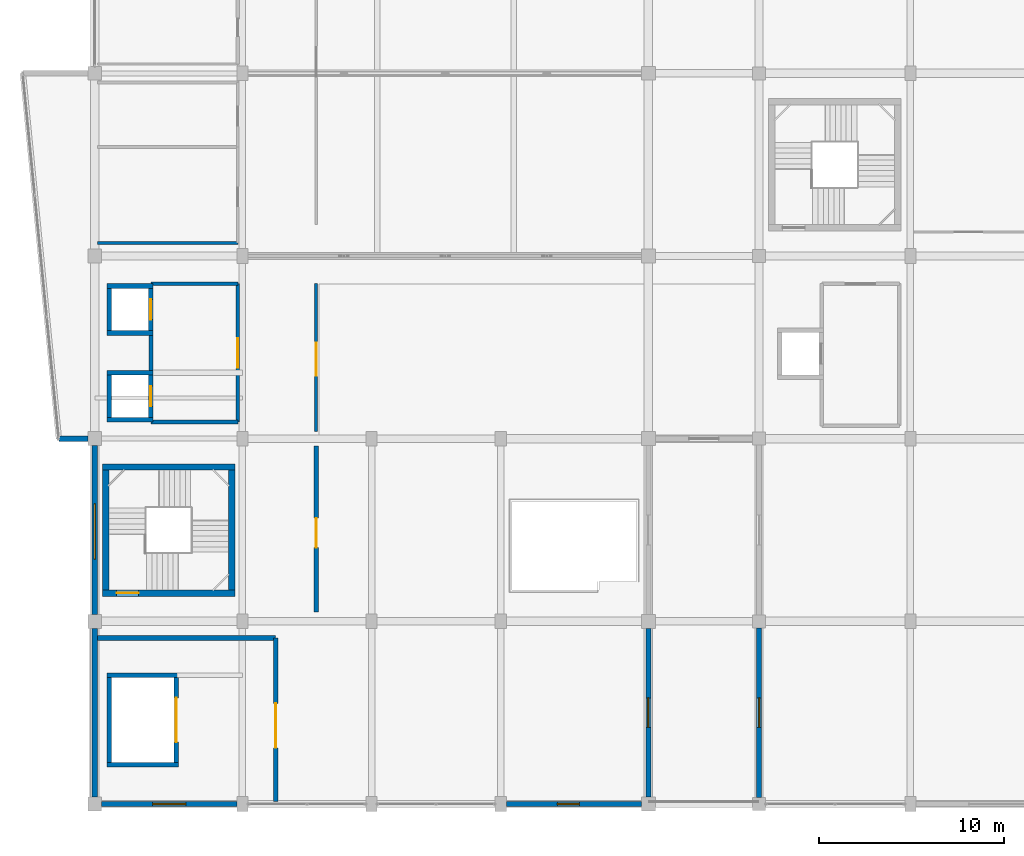
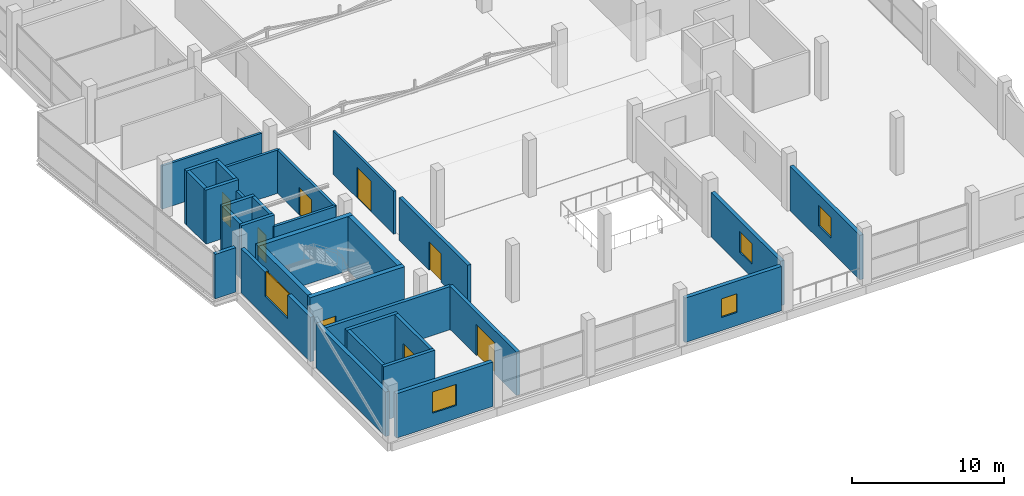
# One storey, part 36 of 49: 32 walls, 8 doors, 5 windows, 13 openings.
"""IFC4 building model written with IfcOpenShell, lengths in metres."""

from ifc_helpers import new_model, si_unit, direction, frame, frame_2d, origin, place, context, subcontext, project, spatial, rectangle, extrude, material, layer, layer_set, type_object, element, fill, save


model = new_model("IFC4")

# Units and contexts
model_context = context("Model", 3, precision=1e-05, world=origin(), true_north=direction((0.0, 1.0)))
body_context = subcontext(model_context, "Body", "Model", "MODEL_VIEW")
ifc_project = project(units=[si_unit("LENGTHUNIT", "METRE"), si_unit("AREAUNIT", "SQUARE_METRE"), si_unit("VOLUMEUNIT", "CUBIC_METRE"), si_unit("PLANEANGLEUNIT", "RADIAN"), si_unit("MASSUNIT", "GRAM", prefix="KILO")], contexts=[model_context])

# Site, building, storey
site_placement = place(None, origin())
site = spatial("IfcSite", under=ifc_project, at=site_placement, CompositionType="ELEMENT")
building_placement = place(site_placement, origin())
building = spatial("IfcBuilding", under=site, at=building_placement, Name="Sillaruma Civic Art Gallery", CompositionType="ELEMENT")
storey_placement = place(building_placement, frame((0.0, 0.0, 33.14990234375)))
storey = spatial("IfcBuildingStorey", under=building, at=storey_placement, Name="L06", CompositionType="ELEMENT", Elevation=33.14990234375)

# Wall, opening, door
ifc_material_1 = material(Name="Concrete H40 (40 MPa)", Category="concrete")
ifc_layer_1 = layer(ifc_material_1, 0.35009765625, Name="Concrete H40 (40 MPa)")
ifc_layer_set_1 = layer_set([ifc_layer_1], Name="Concrete H40 (40 MPa)")
wall_type_1 = type_object("IfcWallType", Name="WAL-CORE-350", PredefinedType="SHEAR", material=ifc_layer_set_1)
wall_1_placement = place(storey_placement, frame((62.409912109375, 31.235107421875, 0.0), z_axis=(0.0, 0.0, 1.0), x_axis=(1.0, 0.0, 0.0)))
wall_1 = element("IfcWall", 1, at=wall_1_placement, inside=storey, type_object=wall_type_1, Name="Stair Core Shear Wall W-CORE-350 (ST-03:L06:S)", PredefinedType="SHEAR", context=body_context, shape_type="SweptSolid", body=[
    extrude(rectangle(XDim=7.18017578125, YDim=0.35009765625, at=frame_2d((3.590087890625, 0.0))), origin(), (0.0, 0.0, 1.0), 4.35009765625),
])
opening_1_placement = place(wall_1_placement, frame((0.77001953125, 0.0, 0.0)))
opening_1 = element("IfcOpeningElement", 2, at=opening_1_placement, cuts=wall_1, Name="Opening D-STAIR", PredefinedType="OPENING", context=body_context, shape_type="SweptSolid", body=[
    extrude(rectangle(XDim=1.199951171875, YDim=2.199951171875, at=frame_2d((0.60009765625, 1.10009765625))), frame((0.0, 0.18505859375, 0.0), z_axis=(0.0, -1.0, 0.0), x_axis=(1.0, 0.0, 0.0)), (0.0, 0.0, 1.0), 0.3701171875),
])
ifc_material_2 = material(Name="Galvanised Steel ASTM A653 Gr.50", Category="steel")
door_type_1 = type_object("IfcDoorType", Name="DOR-STAIR-120", OperationType="NOTDEFINED", PredefinedType="DOOR", material=ifc_material_2)
door_1_placement = place(opening_1_placement, origin())
door_1 = element("IfcDoor", 3, at=door_1_placement, inside=storey, type_object=door_type_1, Name="Protected Stair Fire Door (ST-03:L06)", OperationType="SINGLE_SWING_RIGHT", OverallHeight=2.199951171875, OverallWidth=1.199951171875, PredefinedType="DOOR", context=body_context, shape_type="SweptSolid", body=[
    extrude(rectangle(XDim=1.199951171875, YDim=2.199951171875, at=frame_2d((0.60009765625, 1.10009765625))), frame((0.0, 0.02490234375, 0.0), z_axis=(0.0, -1.0, 0.0), x_axis=(1.0, 0.0, 0.0)), (0.0, 0.0, 1.0), 0.050048828125),
])
fill(opening_1, door_1)

# Walls
wall_2_placement = place(storey_placement, frame((62.409912109375, 38.06494140625, 0.0), z_axis=(0.0, 0.0, 1.0), x_axis=(1.0, 0.0, 0.0)))
element("IfcWall", 4, at=wall_2_placement, inside=storey, type_object=wall_type_1, Name="Stair Core Shear Wall W-CORE-350 (ST-03:L06:N)", PredefinedType="SHEAR", context=body_context, shape_type="SweptSolid", body=[
    extrude(rectangle(XDim=7.18017578125, YDim=0.35009765625, at=frame_2d((3.590087890625, 0.0))), origin(), (0.0, 0.0, 1.0), 4.35009765625),
])
for number, where, z_axis, x_axis, name in (
    (5, (62.5849609375, 31.409912109375, 0.0), (0.0, 0.0, 1.0), (0.0, 1.0, 0.0), "Stair Core Shear Wall W-CORE-350 (ST-03:L06:W)"),
    (6, (69.4150390625, 31.409912109375, 0.0), (0.0, 0.0, 1.0), (0.0, 1.0, 0.0), "Stair Core Shear Wall W-CORE-350 (ST-03:L06:E)"),
):
    element("IfcWall", number, at=place(storey_placement, frame(where, z_axis=z_axis, x_axis=x_axis)), inside=storey, type_object=wall_type_1, Name=name, PredefinedType="SHEAR", context=body_context, shape_type="SweptSolid", body=[
        extrude(rectangle(XDim=6.47998046875, YDim=0.35009765625, at=frame_2d((3.239990234375, 0.0))), origin(), (0.0, 0.0, 1.0), 4.35009765625),
    ])

# Wall, opening, window
ifc_material_3 = material(Name="Concrete H35 (35 MPa)", Category="concrete")
ifc_layer_2 = layer(ifc_material_3, 0.159912109375, Name="Concrete backup", Category="concrete")
ifc_material_4 = material(Name="Mineral Wool Thermal Insulation", Category="insulation")
ifc_layer_3 = layer(ifc_material_4, 0.090087890625, Name="Thermal insulation", Category="insulation")
ifc_material_5 = material(Name="Anodised Zinc-Aluminium Alloy", Category="aluminium")
ifc_layer_4 = layer(ifc_material_5, 0.030029296875, Name="Rainscreen finish", Category="aluminium")
ifc_layer_set_2 = layer_set([ifc_layer_2, ifc_layer_3, ifc_layer_4], Name="W-EXT-280")
wall_type_2 = type_object("IfcWallType", Name="WAL-EXT-280", PredefinedType="SOLIDWALL", material=ifc_layer_set_2)
wall_3_placement = place(storey_placement, frame((62.0, 30.074951171875, 0.0), z_axis=(0.0, 0.0, 1.0), x_axis=(0.0, 1.0, 0.0)))
wall_3 = element("IfcWall", 7, at=wall_3_placement, inside=storey, type_object=wall_type_2, Name="Exterior Wall W-EXT-280 (EW-L06-W-2)", PredefinedType="SOLIDWALL", context=body_context, shape_type="SweptSolid", body=[
    extrude(rectangle(XDim=9.150146484375, YDim=0.280029296875, at=frame_2d((4.5751953125, 0.0))), origin(), (0.0, 0.0, 1.0), 3.570068359375),
])
opening_2_placement = place(wall_3_placement, frame((3.0, 0.0, 1.64990234375)))
opening_2 = element("IfcOpeningElement", 8, at=opening_2_placement, cuts=wall_3, Name="Opening WN-10", PredefinedType="OPENING", context=body_context, shape_type="SweptSolid", body=[
    extrude(rectangle(XDim=3.0, YDim=1.949951171875, at=frame_2d((1.5, 0.97509765625))), frame((0.0, 0.14990234375, 0.0), z_axis=(0.0, -1.0, 0.0), x_axis=(1.0, 0.0, 0.0)), (0.0, 0.0, 1.0), 0.300048828125),
])
ifc_material_6 = material(Name="Thermally Broken Extruded Aluminium 6063-T6", Category="aluminium")
window_type_1 = type_object("IfcWindowType", Name="WIN-W10", PartitioningType="SINGLE_PANEL", PredefinedType="WINDOW", material=ifc_material_6)
window_1_placement = place(opening_2_placement, origin())
window_1 = element("IfcWindow", 9, at=window_1_placement, inside=storey, type_object=window_type_1, Name="Window WN-10 (EW-L06-W-2-1)", OverallHeight=1.949951171875, OverallWidth=3.0, PartitioningType="SINGLE_PANEL", PredefinedType="WINDOW", context=body_context, shape_type="SweptSolid", body=[
    extrude(rectangle(XDim=3.0, YDim=1.949951171875, at=frame_2d((1.5, 0.97509765625))), frame((0.0, 0.030029296875, 0.0), z_axis=(0.0, -1.0, 0.0), x_axis=(1.0, 0.0, 0.0)), (0.0, 0.0, 1.0), 0.06005859375),
])
fill(opening_2, window_1)

# Wall
wall_4_placement = place(storey_placement, frame((60.050048828125, 39.60009765625, 0.0), z_axis=(0.0, 0.0, 1.0), x_axis=(1.0, 0.0, 0.0)))
element("IfcWall", 10, at=wall_4_placement, inside=storey, type_object=wall_type_2, Name="Exterior Wall W-EXT-280 (EW-PRW-L06-W-S3)", PredefinedType="SOLIDWALL", context=body_context, shape_type="SweptSolid", body=[
    extrude(rectangle(XDim=1.574951171875, YDim=0.280029296875, at=frame_2d((0.78759765625, 0.0))), origin(), (0.0, 0.0, 1.0), 3.570068359375),
])

# Wall, opening, window
wall_5_placement = place(storey_placement, frame((92.0, 20.175048828125, 0.0), z_axis=(0.0, 0.0, 1.0), x_axis=(0.0, 1.0, 0.0)))
wall_5 = element("IfcWall", 11, at=wall_5_placement, inside=storey, type_object=wall_type_2, Name="Exterior Wall W-EXT-280 (EW-L06-CYN-W1)", PredefinedType="SOLIDWALL", context=body_context, shape_type="SweptSolid", body=[
    extrude(rectangle(XDim=9.14990234375, YDim=0.280029296875, at=frame_2d((4.574951171875, 0.0))), origin(), (0.0, 0.0, 1.0), 3.570068359375),
])
opening_3_placement = place(wall_5_placement, frame((3.77490234375, 0.0, 1.050048828125)))
opening_3 = element("IfcOpeningElement", 12, at=opening_3_placement, cuts=wall_5, Name="Opening WN-05", PredefinedType="OPENING", context=body_context, shape_type="SweptSolid", body=[
    extrude(rectangle(XDim=1.60009765625, YDim=1.64990234375, at=frame_2d((0.800048828125, 0.824951171875))), frame((0.0, 0.14990234375, 0.0), z_axis=(0.0, -1.0, 0.0), x_axis=(1.0, 0.0, 0.0)), (0.0, 0.0, 1.0), 0.300048828125),
])
window_type_2 = type_object("IfcWindowType", Name="WIN-W05", PartitioningType="SINGLE_PANEL", PredefinedType="WINDOW", material=ifc_material_6)
window_2_placement = place(opening_3_placement, origin())
window_2 = element("IfcWindow", 13, at=window_2_placement, inside=storey, type_object=window_type_2, Name="Window WN-05 (EW-L06-CYN-W1-1)", OverallHeight=1.64990234375, OverallWidth=1.60009765625, PartitioningType="SINGLE_PANEL", PredefinedType="WINDOW", context=body_context, shape_type="SweptSolid", body=[
    extrude(rectangle(XDim=1.60009765625, YDim=1.64990234375, at=frame_2d((0.800048828125, 0.824951171875))), frame((0.0, 0.030029296875, 0.0), z_axis=(0.0, -1.0, 0.0), x_axis=(1.0, 0.0, 0.0)), (0.0, 0.0, 1.0), 0.06005859375),
])
fill(opening_3, window_2)

wall_6_placement = place(storey_placement, frame((98.0, 20.14990234375, 0.0), z_axis=(0.0, 0.0, 1.0), x_axis=(0.0, 1.0, 0.0)))
wall_6 = element("IfcWall", 14, at=wall_6_placement, inside=storey, type_object=wall_type_2, Name="Exterior Wall W-EXT-280 (EW-L06-CYN-E1)", PredefinedType="SOLIDWALL", context=body_context, shape_type="SweptSolid", body=[
    extrude(rectangle(XDim=9.2001953125, YDim=0.280029296875, at=frame_2d((4.60009765625, 0.0))), origin(), (0.0, 0.0, 1.0), 3.570068359375),
])
opening_4_placement = place(wall_6_placement, frame((3.800048828125, 0.0, 1.050048828125)))
opening_4 = element("IfcOpeningElement", 15, at=opening_4_placement, cuts=wall_6, Name="Opening WN-05", PredefinedType="OPENING", context=body_context, shape_type="SweptSolid", body=[
    extrude(rectangle(XDim=1.60009765625, YDim=1.64990234375, at=frame_2d((0.800048828125, 0.824951171875))), frame((0.0, 0.14990234375, 0.0), z_axis=(0.0, -1.0, 0.0), x_axis=(1.0, 0.0, 0.0)), (0.0, 0.0, 1.0), 0.300048828125),
])
window_3_placement = place(opening_4_placement, origin())
window_3 = element("IfcWindow", 16, at=window_3_placement, inside=storey, type_object=window_type_2, Name="Window WN-05 (EW-L06-CYN-E1-1)", OverallHeight=1.64990234375, OverallWidth=1.60009765625, PartitioningType="SINGLE_PANEL", PredefinedType="WINDOW", context=body_context, shape_type="SweptSolid", body=[
    extrude(rectangle(XDim=1.60009765625, YDim=1.64990234375, at=frame_2d((0.800048828125, 0.824951171875))), frame((0.0, 0.030029296875, 0.0), z_axis=(0.0, -1.0, 0.0), x_axis=(1.0, 0.0, 0.0)), (0.0, 0.0, 1.0), 0.06005859375),
])
fill(opening_4, window_3)

ifc_layer_5 = layer(ifc_material_3, 0.169921875, Name="Concrete backup", Category="concrete")
ifc_layer_6 = layer(ifc_material_4, 0.090087890625, Name="Thermal insulation", Category="insulation")
ifc_layer_7 = layer(ifc_material_5, 0.030029296875, Name="Rainscreen finish", Category="aluminium")
ifc_layer_set_3 = layer_set([ifc_layer_5, ifc_layer_6, ifc_layer_7], Name="W-EXT-290")
wall_type_3 = type_object("IfcWallType", Name="WAL-EXT-290", PredefinedType="SOLIDWALL", material=ifc_layer_set_3)
wall_7_placement = place(storey_placement, frame((62.375, 19.800048828125, 0.0), z_axis=(0.0, 0.0, 1.0), x_axis=(1.0, 0.0, 0.0)))
wall_7 = element("IfcWall", 17, at=wall_7_placement, inside=storey, type_object=wall_type_3, Name="Exterior Wall W-EXT-290 (EW-L06-S-1)", PredefinedType="SOLIDWALL", context=body_context, shape_type="SweptSolid", body=[
    extrude(rectangle(XDim=7.324951171875, YDim=0.2900390625, at=frame_2d((3.66259765625, 0.0))), origin(), (0.0, 0.0, 1.0), 3.570068359375),
])
opening_5_placement = place(wall_7_placement, frame((2.762939453125, 0.0, 1.050048828125)))
opening_5 = element("IfcOpeningElement", 18, at=opening_5_placement, cuts=wall_7, Name="Opening WN-04", PredefinedType="OPENING", context=body_context, shape_type="SweptSolid", body=[
    extrude(rectangle(XDim=1.800048828125, YDim=1.699951171875, at=frame_2d((0.89990234375, 0.85009765625))), frame((0.0, 0.155029296875, 0.0), z_axis=(0.0, -1.0, 0.0), x_axis=(1.0, 0.0, 0.0)), (0.0, 0.0, 1.0), 0.31005859375),
])
window_type_3 = type_object("IfcWindowType", Name="WIN-W04", PartitioningType="SINGLE_PANEL", PredefinedType="WINDOW", material=ifc_material_6)
window_4_placement = place(opening_5_placement, origin())
window_4 = element("IfcWindow", 19, at=window_4_placement, inside=storey, type_object=window_type_3, Name="Window WN-04 (EW-L06-S-1-1)", OverallHeight=1.699951171875, OverallWidth=1.800048828125, PartitioningType="SINGLE_PANEL", PredefinedType="WINDOW", context=body_context, shape_type="SweptSolid", body=[
    extrude(rectangle(XDim=1.800048828125, YDim=1.699951171875, at=frame_2d((0.89990234375, 0.85009765625))), frame((0.0, 0.030029296875, 0.0), z_axis=(0.0, -1.0, 0.0), x_axis=(1.0, 0.0, 0.0)), (0.0, 0.0, 1.0), 0.06005859375),
])
fill(opening_5, window_4)

wall_8_placement = place(storey_placement, frame((84.300048828125, 19.800048828125, 0.0), z_axis=(0.0, 0.0, 1.0), x_axis=(1.0, 0.0, 0.0)))
wall_8 = element("IfcWall", 20, at=wall_8_placement, inside=storey, type_object=wall_type_3, Name="Exterior Wall W-EXT-290 (EW-L06-S-4)", PredefinedType="SOLIDWALL", context=body_context, shape_type="SweptSolid", body=[
    extrude(rectangle(XDim=7.324951171875, YDim=0.2900390625, at=frame_2d((3.66259765625, 0.0))), origin(), (0.0, 0.0, 1.0), 3.570068359375),
])
opening_6_placement = place(wall_8_placement, frame((2.762939453125, 0.0, 1.050048828125)))
opening_6 = element("IfcOpeningElement", 21, at=opening_6_placement, cuts=wall_8, Name="Opening WN-07", PredefinedType="OPENING", context=body_context, shape_type="SweptSolid", body=[
    extrude(rectangle(XDim=1.199951171875, YDim=1.5, at=frame_2d((0.60009765625, 0.75))), frame((0.0, 0.155029296875, 0.0), z_axis=(0.0, -1.0, 0.0), x_axis=(1.0, 0.0, 0.0)), (0.0, 0.0, 1.0), 0.31005859375),
])
window_type_4 = type_object("IfcWindowType", Name="WIN-W07", PartitioningType="SINGLE_PANEL", PredefinedType="WINDOW", material=ifc_material_6)
window_5_placement = place(opening_6_placement, origin())
window_5 = element("IfcWindow", 22, at=window_5_placement, inside=storey, type_object=window_type_4, Name="Window WN-07 (EW-L06-S-4-1)", OverallHeight=1.5, OverallWidth=1.199951171875, PartitioningType="SINGLE_PANEL", PredefinedType="WINDOW", context=body_context, shape_type="SweptSolid", body=[
    extrude(rectangle(XDim=1.199951171875, YDim=1.5, at=frame_2d((0.60009765625, 0.75))), frame((0.0, 0.030029296875, 0.0), z_axis=(0.0, -1.0, 0.0), x_axis=(1.0, 0.0, 0.0)), (0.0, 0.0, 1.0), 0.06005859375),
])
fill(opening_6, window_5)

# Walls
ifc_material_7 = material(Name="Precast Concrete H35 (35 MPa)", Category="concrete")
ifc_layer_8 = layer(ifc_material_7, 0.179931640625, Name="Precast backup", Category="concrete")
ifc_layer_9 = layer(ifc_material_4, 0.090087890625, Name="Thermal insulation", Category="insulation")
ifc_material_8 = material(Name="Comanche Granitic Ashlar Stone", Category="masonry")
ifc_layer_10 = layer(ifc_material_8, 0.030029296875, Name="Rainscreen cladding", Category="masonry")
ifc_layer_set_4 = layer_set([ifc_layer_8, ifc_layer_9, ifc_layer_10], Name="W-EXT-300")
wall_type_4 = type_object("IfcWallType", Name="WAL-EXT-300", PredefinedType="SOLIDWALL", material=ifc_layer_set_4)
wall_9_placement = place(storey_placement, frame((62.0, 20.175048828125, 0.0), z_axis=(0.0, 0.0, 1.0), x_axis=(0.0, 1.0, 0.0)))
element("IfcWall", 23, at=wall_9_placement, inside=storey, type_object=wall_type_4, Name="Exterior Wall W-EXT-300 (EW-L06-W-1)", PredefinedType="SOLIDWALL", context=body_context, shape_type="SweptSolid", body=[
    extrude(rectangle(XDim=9.14990234375, YDim=0.300048828125, at=frame_2d((4.574951171875, 0.0))), origin(), (0.0, 0.0, 1.0), 3.570068359375),
])
ifc_material_9 = material(Name="Concrete Masonry Unit Grade M15", Category="masonry")
ifc_layer_11 = layer(ifc_material_9, 0.199951171875, Name="Concrete Masonry Unit Grade M15")
ifc_layer_set_5 = layer_set([ifc_layer_11], Name="Concrete Masonry Unit Grade M15")
wall_type_5 = type_object("IfcWallType", Name="WAL-LOBBY-200", PredefinedType="SOLIDWALL", material=ifc_layer_set_5)
for number, where, z_axis, x_axis, name in (
    (24, (65.050048828125, 40.5, 0.0), (0.0, 0.0, 1.0), (1.0, 0.0, 0.0), "Interior Wall W-LOBBY-200 (L06-LLW)"),
    (25, (65.050048828125, 48.0, 0.0), (0.0, 0.0, 1.0), (1.0, 0.0, 0.0), "Interior Wall W-LOBBY-200 (L06-LLW)"),
):
    element("IfcWall", number, at=place(storey_placement, frame(where, z_axis=z_axis, x_axis=x_axis)), inside=storey, type_object=wall_type_5, Name=name, PredefinedType="SOLIDWALL", context=body_context, shape_type="SweptSolid", body=[
        extrude(rectangle(XDim=4.699951171875, YDim=0.199951171875, at=frame_2d((2.35009765625, 0.0))), origin(), (0.0, 0.0, 1.0), 3.47021484375),
    ])
wall_10_placement = place(storey_placement, frame((65.050048828125, 43.300048828125, 0.0), z_axis=(0.0, 0.0, 1.0), x_axis=(0.0, 1.0, 0.0)))
element("IfcWall", 26, at=wall_10_placement, inside=storey, type_object=wall_type_5, Name="Interior Wall W-LOBBY-200 (L06-LLW)", PredefinedType="SOLIDWALL", context=body_context, shape_type="SweptSolid", body=[
    extrude(rectangle(XDim=1.89990234375, YDim=0.199951171875, at=frame_2d((0.949951171875, 0.0))), origin(), (0.0, 0.0, 1.0), 3.47021484375),
])

# Wall, opening, door
wall_11_placement = place(storey_placement, frame((69.75, 40.5, 0.0), z_axis=(0.0, 0.0, 1.0), x_axis=(0.0, 1.0, 0.0)))
wall_11 = element("IfcWall", 27, at=wall_11_placement, inside=storey, type_object=wall_type_5, Name="Interior Wall W-LOBBY-200 (L06-LLW)", PredefinedType="SOLIDWALL", context=body_context, shape_type="SweptSolid", body=[
    extrude(rectangle(XDim=7.5, YDim=0.199951171875, at=frame_2d((3.75, 0.0))), origin(), (0.0, 0.0, 1.0), 3.47021484375),
])
opening_7_placement = place(wall_11_placement, frame((2.949951171875, 0.0, 0.0)))
opening_7 = element("IfcOpeningElement", 28, at=opening_7_placement, cuts=wall_11, Name="Opening D-LOBBY", PredefinedType="OPENING", context=body_context, shape_type="SweptSolid", body=[
    extrude(rectangle(XDim=1.60009765625, YDim=2.199951171875, at=frame_2d((0.800048828125, 1.10009765625))), frame((0.0, 0.10986328125, 0.0), z_axis=(0.0, -1.0, 0.0), x_axis=(1.0, 0.0, 0.0)), (0.0, 0.0, 1.0), 0.219970703125),
])
door_type_2 = type_object("IfcDoorType", Name="DOR-LOBBY-160", OperationType="NOTDEFINED", PredefinedType="DOOR", material=ifc_material_6)
door_2_placement = place(opening_7_placement, origin())
door_2 = element("IfcDoor", 29, at=door_2_placement, inside=storey, type_object=door_type_2, Name="West Lift Lobby Door (D-LOBBY)", OperationType="DOUBLE_DOOR_SINGLE_SWING", OverallHeight=2.199951171875, OverallWidth=1.60009765625, PredefinedType="DOOR", context=body_context, shape_type="SweptSolid", body=[
    extrude(rectangle(XDim=1.60009765625, YDim=2.199951171875, at=frame_2d((0.800048828125, 1.10009765625))), frame((0.0, 0.02490234375, 0.0), z_axis=(0.0, -1.0, 0.0), x_axis=(1.0, 0.0, 0.0)), (0.0, 0.0, 1.0), 0.050048828125),
])
fill(opening_7, door_2)

ifc_material_10 = material(Name="Gypsum Acoustic Board", Category="gypsum")
ifc_layer_12 = layer(ifc_material_10, 0.02490234375, Name="Finish board", Category="gypsum")
ifc_layer_13 = layer(ifc_material_4, 0.114990234375, Name="Acoustic core", Category="insulation")
ifc_material_11 = material(Name="Andean Oak Timber", Category="wood")
ifc_layer_14 = layer(ifc_material_11, 0.02490234375, Name="Gallery lining", Category="wood")
ifc_layer_set_6 = layer_set([ifc_layer_12, ifc_layer_13, ifc_layer_14], Name="W-PT-165")
wall_type_6 = type_object("IfcWallType", Name="WAL-PART-165", PredefinedType="PARTITIONING", material=ifc_layer_set_6)
wall_12_placement = place(storey_placement, frame((74.0, 40.0, 0.0), z_axis=(0.0, 0.0, 1.0), x_axis=(0.0, 1.0, 0.0)))
wall_12 = element("IfcWall", 30, at=wall_12_placement, inside=storey, type_object=wall_type_6, Name="Interior Wall W-PT-165 (L06-GAL61)", PredefinedType="PARTITIONING", context=body_context, shape_type="SweptSolid", body=[
    extrude(rectangle(XDim=8.0, YDim=0.1650390625, at=frame_2d((4.0, 0.0))), origin(), (0.0, 0.0, 1.0), 3.47021484375),
])
opening_8_placement = place(wall_12_placement, frame((3.0, 0.0, 0.0)))
opening_8 = element("IfcOpeningElement", 31, at=opening_8_placement, cuts=wall_12, Name="Opening D-GAL18", PredefinedType="OPENING", context=body_context, shape_type="SweptSolid", body=[
    extrude(rectangle(XDim=1.800048828125, YDim=2.449951171875, at=frame_2d((0.89990234375, 1.22509765625))), frame((0.0, 0.092529296875, 0.0), z_axis=(0.0, -1.0, 0.0), x_axis=(1.0, 0.0, 0.0)), (0.0, 0.0, 1.0), 0.18505859375),
])
door_type_3 = type_object("IfcDoorType", Name="DOR-GAL-180", OperationType="NOTDEFINED", PredefinedType="DOOR", material=ifc_material_11)
door_3_placement = place(opening_8_placement, origin())
door_3 = element("IfcDoor", 32, at=door_3_placement, inside=storey, type_object=door_type_3, Name="Andean Modern Paired Gallery Door (D-GAL18)", OperationType="DOUBLE_DOOR_SINGLE_SWING", OverallHeight=2.449951171875, OverallWidth=1.800048828125, PredefinedType="DOOR", context=body_context, shape_type="SweptSolid", body=[
    extrude(rectangle(XDim=1.800048828125, YDim=2.449951171875, at=frame_2d((0.89990234375, 1.22509765625))), frame((0.0, 0.02490234375, 0.0), z_axis=(0.0, -1.0, 0.0), x_axis=(1.0, 0.0, 0.0)), (0.0, 0.0, 1.0), 0.050048828125),
])
fill(opening_8, door_3)

# Walls
ifc_layer_15 = layer(ifc_material_10, 0.02490234375, Name="Finish board", Category="gypsum")
ifc_layer_16 = layer(ifc_material_4, 0.1298828125, Name="Acoustic core", Category="insulation")
ifc_layer_17 = layer(ifc_material_11, 0.02490234375, Name="Gallery lining", Category="wood")
ifc_layer_set_7 = layer_set([ifc_layer_15, ifc_layer_16, ifc_layer_17], Name="W-PT-180")
wall_type_7 = type_object("IfcWallType", Name="WAL-PART-180", PredefinedType="PARTITIONING", material=ifc_layer_set_7)
wall_13_placement = place(storey_placement, frame((62.14990234375, 50.199951171875, 0.0), z_axis=(0.0, 0.0, 1.0), x_axis=(1.0, 0.0, 0.0)))
element("IfcWall", 33, at=wall_13_placement, inside=storey, type_object=wall_type_7, Name="Interior Wall W-PT-180 (L06-WC1)", PredefinedType="PARTITIONING", context=body_context, shape_type="SweptSolid", body=[
    extrude(rectangle(XDim=7.60009765625, YDim=0.179931640625, at=frame_2d((3.800048828125, 0.0))), origin(), (0.0, 0.0, 1.0), 3.47021484375),
])
ifc_layer_18 = layer(ifc_material_1, 0.25, Name="Concrete H40 (40 MPa)")
ifc_layer_set_8 = layer_set([ifc_layer_18], Name="Concrete H40 (40 MPa)")
wall_type_8 = type_object("IfcWallType", Name="WAL-SHAFT-250", PredefinedType="SOLIDWALL", material=ifc_layer_set_8)
for number, where, z_axis, x_axis, name in (
    (34, (62.64990234375, 40.625, 0.0), (0.0, 0.0, 1.0), (1.0, 0.0, 0.0), "Lift Shaft Wall W-SHAFT-250 (PL-01:L06:S)"),
    (35, (62.64990234375, 43.175048828125, 0.0), (0.0, 0.0, 1.0), (1.0, 0.0, 0.0), "Lift Shaft Wall W-SHAFT-250 (PL-01:L06:N)"),
):
    element("IfcWall", number, at=place(storey_placement, frame(where, z_axis=z_axis, x_axis=x_axis)), inside=storey, type_object=wall_type_8, Name=name, PredefinedType="SOLIDWALL", context=body_context, shape_type="SweptSolid", body=[
        extrude(rectangle(XDim=2.5, YDim=0.25, at=frame_2d((1.25, 0.0))), origin(), (0.0, 0.0, 1.0), 4.330078125),
    ])
wall_14_placement = place(storey_placement, frame((62.77490234375, 40.75, 0.0), z_axis=(0.0, 0.0, 1.0), x_axis=(0.0, 1.0, 0.0)))
element("IfcWall", 36, at=wall_14_placement, inside=storey, type_object=wall_type_8, Name="Lift Shaft Wall W-SHAFT-250 (PL-01:L06:W)", PredefinedType="SOLIDWALL", context=body_context, shape_type="SweptSolid", body=[
    extrude(rectangle(XDim=2.300048828125, YDim=0.25, at=frame_2d((1.14990234375, 0.0))), origin(), (0.0, 0.0, 1.0), 4.330078125),
])

# Wall, opening, door
wall_15_placement = place(storey_placement, frame((65.02490234375, 40.75, 0.0), z_axis=(0.0, 0.0, 1.0), x_axis=(0.0, 1.0, 0.0)))
wall_15 = element("IfcWall", 37, at=wall_15_placement, inside=storey, type_object=wall_type_8, Name="Lift Shaft Wall W-SHAFT-250 (PL-01:L06:E)", PredefinedType="SOLIDWALL", context=body_context, shape_type="SweptSolid", body=[
    extrude(rectangle(XDim=2.300048828125, YDim=0.25, at=frame_2d((1.14990234375, 0.0))), origin(), (0.0, 0.0, 1.0), 4.330078125),
])
opening_9_placement = place(wall_15_placement, frame((0.60009765625, 0.0, 0.0)))
opening_9 = element("IfcOpeningElement", 38, at=opening_9_placement, cuts=wall_15, Name="Opening LD-01", PredefinedType="OPENING", context=body_context, shape_type="SweptSolid", body=[
    extrude(rectangle(XDim=1.10009765625, YDim=2.199951171875, at=frame_2d((0.550048828125, 1.10009765625))), frame((0.0, 0.135009765625, 0.0), z_axis=(0.0, -1.0, 0.0), x_axis=(1.0, 0.0, 0.0)), (0.0, 0.0, 1.0), 0.27001953125),
])
door_type_4 = type_object("IfcDoorType", Name="DOR-LD-01", OperationType="NOTDEFINED", PredefinedType="DOOR", material=ifc_material_2)
door_4_placement = place(opening_9_placement, origin())
door_4 = element("IfcDoor", 39, at=door_4_placement, inside=storey, type_object=door_type_4, Name="Lift Sliding Landing Door LD-01 (PL-01:L06)", OperationType="DOUBLE_DOOR_SLIDING", OverallHeight=2.199951171875, OverallWidth=1.10009765625, PredefinedType="DOOR", context=body_context, shape_type="SweptSolid", body=[
    extrude(rectangle(XDim=1.10009765625, YDim=2.199951171875, at=frame_2d((0.550048828125, 1.10009765625))), frame((0.0, 0.02490234375, 0.0), z_axis=(0.0, -1.0, 0.0), x_axis=(1.0, 0.0, 0.0)), (0.0, 0.0, 1.0), 0.050048828125),
])
fill(opening_9, door_4)

# Walls
for number, where, z_axis, x_axis, name in (
    (40, (62.64990234375, 45.324951171875, 0.0), (0.0, 0.0, 1.0), (1.0, 0.0, 0.0), "Lift Shaft Wall W-SHAFT-250 (PL-02:L06:S)"),
    (41, (62.64990234375, 47.875, 0.0), (0.0, 0.0, 1.0), (1.0, 0.0, 0.0), "Lift Shaft Wall W-SHAFT-250 (PL-02:L06:N)"),
):
    element("IfcWall", number, at=place(storey_placement, frame(where, z_axis=z_axis, x_axis=x_axis)), inside=storey, type_object=wall_type_8, Name=name, PredefinedType="SOLIDWALL", context=body_context, shape_type="SweptSolid", body=[
        extrude(rectangle(XDim=2.5, YDim=0.25, at=frame_2d((1.25, 0.0))), origin(), (0.0, 0.0, 1.0), 4.330078125),
    ])
wall_16_placement = place(storey_placement, frame((62.77490234375, 45.449951171875, 0.0), z_axis=(0.0, 0.0, 1.0), x_axis=(0.0, 1.0, 0.0)))
element("IfcWall", 42, at=wall_16_placement, inside=storey, type_object=wall_type_8, Name="Lift Shaft Wall W-SHAFT-250 (PL-02:L06:W)", PredefinedType="SOLIDWALL", context=body_context, shape_type="SweptSolid", body=[
    extrude(rectangle(XDim=2.300048828125, YDim=0.25, at=frame_2d((1.14990234375, 0.0))), origin(), (0.0, 0.0, 1.0), 4.330078125),
])

# Wall, opening, door
wall_17_placement = place(storey_placement, frame((65.02490234375, 45.449951171875, 0.0), z_axis=(0.0, 0.0, 1.0), x_axis=(0.0, 1.0, 0.0)))
wall_17 = element("IfcWall", 43, at=wall_17_placement, inside=storey, type_object=wall_type_8, Name="Lift Shaft Wall W-SHAFT-250 (PL-02:L06:E)", PredefinedType="SOLIDWALL", context=body_context, shape_type="SweptSolid", body=[
    extrude(rectangle(XDim=2.300048828125, YDim=0.25, at=frame_2d((1.14990234375, 0.0))), origin(), (0.0, 0.0, 1.0), 4.330078125),
])
opening_10_placement = place(wall_17_placement, frame((0.60009765625, 0.0, 0.0)))
opening_10 = element("IfcOpeningElement", 44, at=opening_10_placement, cuts=wall_17, Name="Opening LD-01", PredefinedType="OPENING", context=body_context, shape_type="SweptSolid", body=[
    extrude(rectangle(XDim=1.10009765625, YDim=2.199951171875, at=frame_2d((0.550048828125, 1.10009765625))), frame((0.0, 0.135009765625, 0.0), z_axis=(0.0, -1.0, 0.0), x_axis=(1.0, 0.0, 0.0)), (0.0, 0.0, 1.0), 0.27001953125),
])
door_5_placement = place(opening_10_placement, origin())
door_5 = element("IfcDoor", 45, at=door_5_placement, inside=storey, type_object=door_type_4, Name="Lift Sliding Landing Door LD-01 (PL-02:L06)", OperationType="DOUBLE_DOOR_SLIDING", OverallHeight=2.199951171875, OverallWidth=1.10009765625, PredefinedType="DOOR", context=body_context, shape_type="SweptSolid", body=[
    extrude(rectangle(XDim=1.10009765625, YDim=2.199951171875, at=frame_2d((0.550048828125, 1.10009765625))), frame((0.0, 0.02490234375, 0.0), z_axis=(0.0, -1.0, 0.0), x_axis=(1.0, 0.0, 0.0)), (0.0, 0.0, 1.0), 0.050048828125),
])
fill(opening_10, door_5)

# Walls
for number, where, z_axis, x_axis, name in (
    (46, (62.64990234375, 21.925048828125, 0.0), (0.0, 0.0, 1.0), (1.0, 0.0, 0.0), "Lift Shaft Wall W-SHAFT-250 (GL-01:L06:S)"),
    (47, (62.64990234375, 26.77490234375, 0.0), (0.0, 0.0, 1.0), (1.0, 0.0, 0.0), "Lift Shaft Wall W-SHAFT-250 (GL-01:L06:N)"),
):
    element("IfcWall", number, at=place(storey_placement, frame(where, z_axis=z_axis, x_axis=x_axis)), inside=storey, type_object=wall_type_8, Name=name, PredefinedType="SOLIDWALL", context=body_context, shape_type="SweptSolid", body=[
        extrude(rectangle(XDim=3.900146484375, YDim=0.25, at=frame_2d((1.9501953125, 0.0))), origin(), (0.0, 0.0, 1.0), 4.330078125),
    ])
wall_18_placement = place(storey_placement, frame((62.77490234375, 22.050048828125, 0.0), z_axis=(0.0, 0.0, 1.0), x_axis=(0.0, 1.0, 0.0)))
element("IfcWall", 48, at=wall_18_placement, inside=storey, type_object=wall_type_8, Name="Lift Shaft Wall W-SHAFT-250 (GL-01:L06:W)", PredefinedType="SOLIDWALL", context=body_context, shape_type="SweptSolid", body=[
    extrude(rectangle(XDim=4.599853515625, YDim=0.25, at=frame_2d((2.2998046875, 0.0))), origin(), (0.0, 0.0, 1.0), 4.330078125),
])

# Wall, opening, door
wall_19_placement = place(storey_placement, frame((66.425048828125, 22.050048828125, 0.0), z_axis=(0.0, 0.0, 1.0), x_axis=(0.0, 1.0, 0.0)))
wall_19 = element("IfcWall", 49, at=wall_19_placement, inside=storey, type_object=wall_type_8, Name="Lift Shaft Wall W-SHAFT-250 (GL-01:L06:E)", PredefinedType="SOLIDWALL", context=body_context, shape_type="SweptSolid", body=[
    extrude(rectangle(XDim=4.599853515625, YDim=0.25, at=frame_2d((2.2998046875, 0.0))), origin(), (0.0, 0.0, 1.0), 4.330078125),
])
opening_11_placement = place(wall_19_placement, frame((1.10009765625, 0.0, 0.0)))
opening_11 = element("IfcOpeningElement", 50, at=opening_11_placement, cuts=wall_19, Name="Opening LD-03", PredefinedType="OPENING", context=body_context, shape_type="SweptSolid", body=[
    extrude(rectangle(XDim=2.39990234375, YDim=2.64990234375, at=frame_2d((1.199951171875, 1.324951171875))), frame((0.0, 0.135009765625, 0.0), z_axis=(0.0, -1.0, 0.0), x_axis=(1.0, 0.0, 0.0)), (0.0, 0.0, 1.0), 0.27001953125),
])
door_type_5 = type_object("IfcDoorType", Name="DOR-LD-03", OperationType="NOTDEFINED", PredefinedType="DOOR", material=ifc_material_2)
door_6_placement = place(opening_11_placement, origin())
door_6 = element("IfcDoor", 51, at=door_6_placement, inside=storey, type_object=door_type_5, Name="Lift Sliding Landing Door LD-03 (GL-01:L06)", OperationType="DOUBLE_DOOR_SLIDING", OverallHeight=2.64990234375, OverallWidth=2.39990234375, PredefinedType="DOOR", context=body_context, shape_type="SweptSolid", body=[
    extrude(rectangle(XDim=2.39990234375, YDim=2.64990234375, at=frame_2d((1.199951171875, 1.324951171875))), frame((0.0, 0.02490234375, 0.0), z_axis=(0.0, -1.0, 0.0), x_axis=(1.0, 0.0, 0.0)), (0.0, 0.0, 1.0), 0.050048828125),
])
fill(opening_11, door_6)

# Wall
ifc_layer_19 = layer(ifc_material_9, 0.2548828125, Name="Concrete Masonry Unit Grade M15")
ifc_layer_set_9 = layer_set([ifc_layer_19], Name="Concrete Masonry Unit Grade M15")
wall_type_9 = type_object("IfcWallType", Name="WAL-STORE-250", PredefinedType="SOLIDWALL", material=ifc_layer_set_9)
wall_20_placement = place(storey_placement, frame((62.14990234375, 28.800048828125, 0.0), z_axis=(0.0, 0.0, 1.0), x_axis=(1.0, 0.0, 0.0)))
element("IfcWall", 52, at=wall_20_placement, inside=storey, type_object=wall_type_9, Name="Interior Wall W-STORE-250 (L06-AIR)", PredefinedType="SOLIDWALL", context=body_context, shape_type="SweptSolid", body=[
    extrude(rectangle(XDim=9.650146484375, YDim=0.2548828125, at=frame_2d((4.8251953125, 0.0))), origin(), (0.0, 0.0, 1.0), 3.47021484375),
])

# Wall, opening, door
wall_21_placement = place(storey_placement, frame((71.800048828125, 19.949951171875, 0.0), z_axis=(0.0, 0.0, 1.0), x_axis=(0.0, 1.0, 0.0)))
wall_21 = element("IfcWall", 53, at=wall_21_placement, inside=storey, type_object=wall_type_9, Name="Interior Wall W-STORE-250 (L06-AIR)", PredefinedType="SOLIDWALL", context=body_context, shape_type="SweptSolid", body=[
    extrude(rectangle(XDim=8.85009765625, YDim=0.2548828125, at=frame_2d((4.425048828125, 0.0))), origin(), (0.0, 0.0, 1.0), 3.47021484375),
])
opening_12_placement = place(wall_21_placement, frame((2.89990234375, 0.0, 0.0)))
opening_12 = element("IfcOpeningElement", 54, at=opening_12_placement, cuts=wall_21, Name="Opening D-STR24", PredefinedType="OPENING", context=body_context, shape_type="SweptSolid", body=[
    extrude(rectangle(XDim=2.39990234375, YDim=2.5, at=frame_2d((1.199951171875, 1.25))), frame((0.0, 0.137451171875, 0.0), z_axis=(0.0, -1.0, 0.0), x_axis=(1.0, 0.0, 0.0)), (0.0, 0.0, 1.0), 0.27490234375),
])
door_type_6 = type_object("IfcDoorType", Name="DOR-STORE-240", OperationType="NOTDEFINED", PredefinedType="DOOR", material=ifc_material_2)
door_7_placement = place(opening_12_placement, origin())
door_7 = element("IfcDoor", 55, at=door_7_placement, inside=storey, type_object=door_type_6, Name="Crate Airlock Door (D-STR24)", OperationType="DOUBLE_DOOR_SINGLE_SWING", OverallHeight=2.5, OverallWidth=2.39990234375, PredefinedType="DOOR", context=body_context, shape_type="SweptSolid", body=[
    extrude(rectangle(XDim=2.39990234375, YDim=2.5, at=frame_2d((1.199951171875, 1.25))), frame((0.0, 0.02490234375, 0.0), z_axis=(0.0, -1.0, 0.0), x_axis=(1.0, 0.0, 0.0)), (0.0, 0.0, 1.0), 0.050048828125),
])
fill(opening_12, door_7)

wall_22_placement = place(storey_placement, frame((74.0, 30.199951171875, 0.0), z_axis=(0.0, 0.0, 1.0), x_axis=(0.0, 1.0, 0.0)))
wall_22 = element("IfcWall", 56, at=wall_22_placement, inside=storey, type_object=wall_type_9, Name="Interior Wall W-STORE-250 (L06-STR62)", PredefinedType="SOLIDWALL", context=body_context, shape_type="SweptSolid", body=[
    extrude(rectangle(XDim=9.0, YDim=0.2548828125, at=frame_2d((4.5, 0.0))), origin(), (0.0, 0.0, 1.0), 3.47021484375),
])
opening_13_placement = place(wall_22_placement, frame((3.5, 0.0, 0.0)))
opening_13 = element("IfcOpeningElement", 57, at=opening_13_placement, cuts=wall_22, Name="Opening D-STR16", PredefinedType="OPENING", context=body_context, shape_type="SweptSolid", body=[
    extrude(rectangle(XDim=1.60009765625, YDim=2.300048828125, at=frame_2d((0.800048828125, 1.14990234375))), frame((0.0, 0.137451171875, 0.0), z_axis=(0.0, -1.0, 0.0), x_axis=(1.0, 0.0, 0.0)), (0.0, 0.0, 1.0), 0.27490234375),
])
door_type_7 = type_object("IfcDoorType", Name="DOR-STORE-160", OperationType="NOTDEFINED", PredefinedType="DOOR", material=ifc_material_2)
door_8_placement = place(opening_13_placement, origin())
door_8 = element("IfcDoor", 58, at=door_8_placement, inside=storey, type_object=door_type_7, Name="South-West Vault Art Store Door (D-STR16)", OperationType="DOUBLE_DOOR_SINGLE_SWING", OverallHeight=2.300048828125, OverallWidth=1.60009765625, PredefinedType="DOOR", context=body_context, shape_type="SweptSolid", body=[
    extrude(rectangle(XDim=1.60009765625, YDim=2.300048828125, at=frame_2d((0.800048828125, 1.14990234375))), frame((0.0, 0.02490234375, 0.0), z_axis=(0.0, -1.0, 0.0), x_axis=(1.0, 0.0, 0.0)), (0.0, 0.0, 1.0), 0.050048828125),
])
fill(opening_13, door_8)

save(model, "model.ifc")
